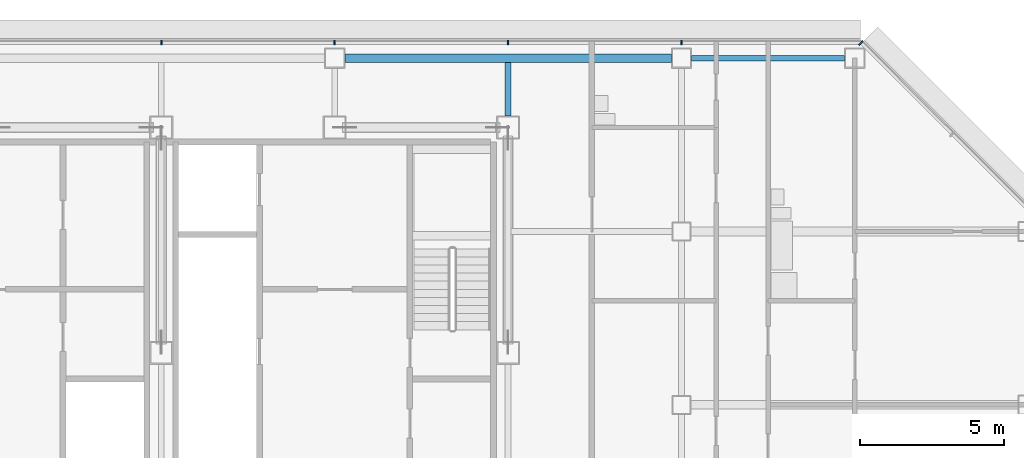
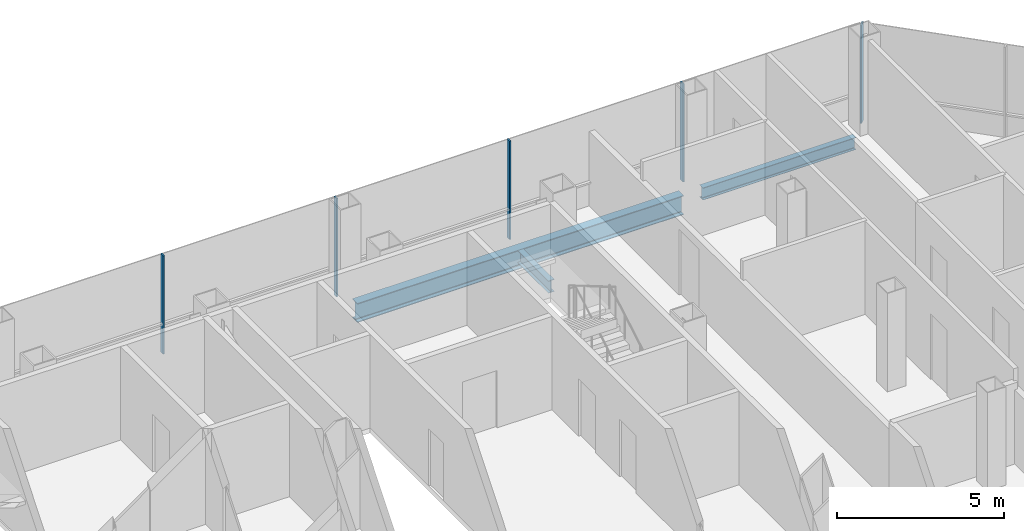
# One storey, part 14 of 26: 5 members, 3 beams, 2 elements without a shape of their own.
"""IFC4 building model written with IfcOpenShell, lengths in metres."""

from ifc_helpers import new_model, si_unit, direction, frame, origin, origin_2d, place, context, subcontext, project, spatial, rectangle, i_section, extrude, material, material_profile, profile_set, type_object, element, aggregate, save


model = new_model("IFC4")

# Units and contexts
model_context = context("Model", 3, precision=1e-05, world=origin(), true_north=direction((0.0, 1.0)))
body_context = subcontext(model_context, "Body", "Model", "MODEL_VIEW")
ifc_project = project(units=[si_unit("LENGTHUNIT", "METRE"), si_unit("AREAUNIT", "SQUARE_METRE"), si_unit("VOLUMEUNIT", "CUBIC_METRE"), si_unit("PLANEANGLEUNIT", "RADIAN"), si_unit("MASSUNIT", "GRAM", prefix="KILO")], contexts=[model_context])

# Site, building, storey
site_placement = place(None, origin())
site = spatial("IfcSite", under=ifc_project, at=site_placement, CompositionType="ELEMENT")
building_placement = place(site_placement, origin())
building = spatial("IfcBuilding", under=site, at=building_placement, Name="Sorahane Residences", CompositionType="ELEMENT")
storey_placement = place(building_placement, frame((0.0, 0.0, 151.0)))
storey = spatial("IfcBuildingStorey", under=building, at=storey_placement, Name="L34", CompositionType="ELEMENT", Elevation=151.0)

# Curtain wall, members
ifc_material_1 = material(Name="Dark low-e glass and black anodised aluminium", Category="aluminium")
curtain_wall_type_1 = type_object("IfcCurtainWallType", Name="Curtain wall CW-1 Typical unitised wall", PredefinedType="NOTDEFINED", material=ifc_material_1)
curtain_wall_1_placement = place(storey_placement, origin())
curtain_wall_1 = element("IfcCurtainWall", 1, at=curtain_wall_1_placement, inside=storey, type_object=curtain_wall_type_1, Name="CW-1 curtain wall L34 N1", PredefinedType="NOTDEFINED")
ifc_material_2 = material(Name="Black anodised aluminium", Category="aluminium")
ifc_material_profile_1 = material_profile(ifc_material_2, rectangle(XDim=0.159912109375, YDim=0.050048828125, at=origin_2d()), Name="Curtain wall mullion CW-1 black anodised aluminium 50x160")
ifc_profile_set_1 = profile_set([ifc_material_profile_1], Name="Black anodised aluminium")
member_type_1 = type_object("IfcMemberType", Name="Curtain wall mullion CW-1 black anodised aluminium 50x160", PredefinedType="MULLION", material=ifc_profile_set_1)
member_1_placement = place(storey_placement, frame((48.0, 48.5400390625, -0.179931640625), z_axis=(0.0, 0.0, 1.0), x_axis=(0.0, 1.0, 0.0)))
member_1 = element("IfcMember", 2, at=member_1_placement, type_object=member_type_1, Name="CW-1 mullion L34 N1.2", PredefinedType="MULLION", context=body_context, shape_type="SweptSolid", body=[
    extrude(rectangle(XDim=0.159912109375, YDim=0.050048828125, at=origin_2d()), origin(), (0.0, 0.0, 1.0), 3.599853515625),
])
member_2_placement = place(storey_placement, frame((42.0, 48.5400390625, -0.179931640625), z_axis=(0.0, 0.0, 1.0), x_axis=(0.0, 1.0, 0.0)))
member_2 = element("IfcMember", 3, at=member_2_placement, type_object=member_type_1, Name="CW-1 mullion L34 N1.3", PredefinedType="MULLION", context=body_context, shape_type="SweptSolid", body=[
    extrude(rectangle(XDim=0.159912109375, YDim=0.050048828125, at=origin_2d()), origin(), (0.0, 0.0, 1.0), 3.599853515625),
])
member_3_placement = place(storey_placement, frame((36.0, 48.5400390625, -0.179931640625), z_axis=(0.0, 0.0, 1.0), x_axis=(0.0, 1.0, 0.0)))
member_3 = element("IfcMember", 4, at=member_3_placement, type_object=member_type_1, Name="CW-1 mullion L34 N1.4", PredefinedType="MULLION", context=body_context, shape_type="SweptSolid", body=[
    extrude(rectangle(XDim=0.159912109375, YDim=0.050048828125, at=origin_2d()), origin(), (0.0, 0.0, 1.0), 3.599853515625),
])
member_4_placement = place(storey_placement, frame((30.0, 48.5400390625, -0.179931640625), z_axis=(0.0, 0.0, 1.0), x_axis=(0.0, 1.0, 0.0)))
member_4 = element("IfcMember", 5, at=member_4_placement, type_object=member_type_1, Name="CW-1 mullion L34 N1.5", PredefinedType="MULLION", context=body_context, shape_type="SweptSolid", body=[
    extrude(rectangle(XDim=0.159912109375, YDim=0.050048828125, at=origin_2d()), origin(), (0.0, 0.0, 1.0), 3.599853515625),
])
aggregate(curtain_wall_1, [member_1, member_2, member_3, member_4])

# Curtain wall, member
ifc_material_3 = material(Name="Dark low-e glass and black anodised aluminium", Category="aluminium")
curtain_wall_type_2 = type_object("IfcCurtainWallType", Name="Curtain wall CW-2 Chamfer unitised wall", PredefinedType="NOTDEFINED", material=ifc_material_3)
curtain_wall_2_placement = place(storey_placement, origin())
curtain_wall_2 = element("IfcCurtainWall", 6, at=curtain_wall_2_placement, inside=storey, type_object=curtain_wall_type_2, Name="CW-2 curtain wall L34 NE1", PredefinedType="NOTDEFINED")
ifc_material_4 = material(Name="Black anodised aluminium", Category="aluminium")
ifc_material_profile_2 = material_profile(ifc_material_4, rectangle(XDim=0.199951171875, YDim=0.050048828125, at=origin_2d()), Name="Curtain wall mullion CW-2 black anodised aluminium 50x200")
ifc_profile_set_2 = profile_set([ifc_material_profile_2], Name="Black anodised aluminium")
member_type_2 = type_object("IfcMemberType", Name="Curtain wall mullion CW-2 black anodised aluminium 50x200", PredefinedType="MULLION", material=ifc_profile_set_2)
member_5_placement = place(storey_placement, frame((54.209716796875, 48.525634765625, -0.179931640625), z_axis=(0.0, 0.0, 1.0), x_axis=(0.707106781187, 0.707106781187, 0.0)))
member_5 = element("IfcMember", 7, at=member_5_placement, type_object=member_type_2, Name="CW-2 mullion L34 NE1.3", PredefinedType="MULLION", context=body_context, shape_type="SweptSolid", body=[
    extrude(rectangle(XDim=0.199951171875, YDim=0.050048828125, at=origin_2d()), origin(), (0.0, 0.0, 1.0), 3.599853515625),
])
aggregate(curtain_wall_2, [member_5])

# Beams
ifc_material_5 = material(Name="Steel Q355B", Category="steel")
ifc_material_profile_3 = material_profile(ifc_material_5, i_section(OverallWidth=0.199951171875, OverallDepth=0.449951171875, WebThickness=0.009033203125, FlangeThickness=0.013916015625, FilletRadius=0.02001953125, at=origin_2d()), Name="HN 450x200x9x14")
ifc_profile_set_3 = profile_set([ifc_material_profile_3], Name="Steel Q355B")
beam_type_1 = type_object("IfcBeamType", Name="Steel floor beam HN 450x200x9x14 Q355B", PredefinedType="BEAM", material=ifc_profile_set_3)
beam_1_placement = place(storey_placement, frame((48.35009765625, 48.0, -0.405029296875), z_axis=(1.0, 0.0, 0.0), x_axis=(0.0, 1.0, 0.0)))
element("IfcBeam", 8, at=beam_1_placement, inside=storey, type_object=beam_type_1, Name="Beam L34 019", PredefinedType="BEAM", context=body_context, shape_type="SweptSolid", body=[
    extrude(i_section(OverallWidth=0.199951171875, OverallDepth=0.449951171875, WebThickness=0.009033203125, FlangeThickness=0.013916015625, FilletRadius=0.02001953125, at=origin_2d()), origin(), (0.0, 0.0, 1.0), 5.2998046875),
])
beam_2_placement = place(storey_placement, frame((42.0, 46.0, -0.405029296875), z_axis=(0.0, 1.0, 0.0), x_axis=(-1.0, 0.0, 0.0)))
element("IfcBeam", 9, at=beam_2_placement, inside=storey, type_object=beam_type_1, Name="Beam L34 057", PredefinedType="BEAM", context=body_context, shape_type="SweptSolid", body=[
    extrude(i_section(OverallWidth=0.199951171875, OverallDepth=0.449951171875, WebThickness=0.009033203125, FlangeThickness=0.013916015625, FilletRadius=0.02001953125, at=origin_2d()), origin(), (0.0, 0.0, 1.0), 1.85009765625),
])
ifc_material_6 = material(Name="Steel Q355B", Category="steel")
ifc_material_profile_4 = material_profile(ifc_material_6, i_section(OverallWidth=0.300048828125, OverallDepth=0.699951171875, WebThickness=0.012939453125, FlangeThickness=0.02392578125, FilletRadius=0.028076171875, at=origin_2d()), Name="HN 700x300x13x24")
ifc_profile_set_4 = profile_set([ifc_material_profile_4], Name="Steel Q355B")
beam_type_2 = type_object("IfcBeamType", Name="Steel floor beam HN 700x300x13x24 Q355B", PredefinedType="BEAM", material=ifc_profile_set_4)
beam_3_placement = place(storey_placement, frame((36.35009765625, 48.0, -0.530029296875), z_axis=(1.0, 0.0, 0.0), x_axis=(0.0, 1.0, 0.0)))
element("IfcBeam", 10, at=beam_3_placement, inside=storey, type_object=beam_type_2, Name="Beam L34 018", PredefinedType="BEAM", context=body_context, shape_type="SweptSolid", body=[
    extrude(i_section(OverallWidth=0.300048828125, OverallDepth=0.699951171875, WebThickness=0.012939453125, FlangeThickness=0.02392578125, FilletRadius=0.028076171875, at=origin_2d()), origin(), (0.0, 0.0, 1.0), 11.2998046875),
])

save(model, "model.ifc")
